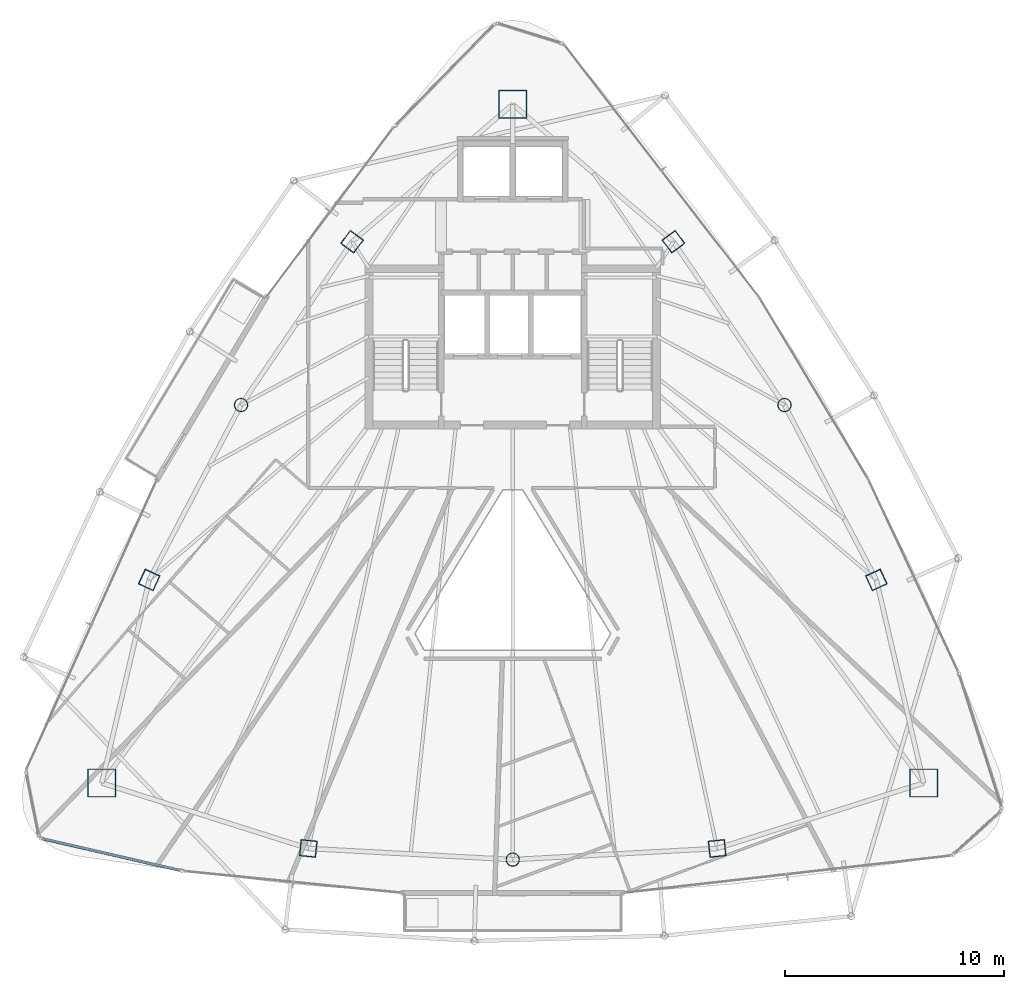
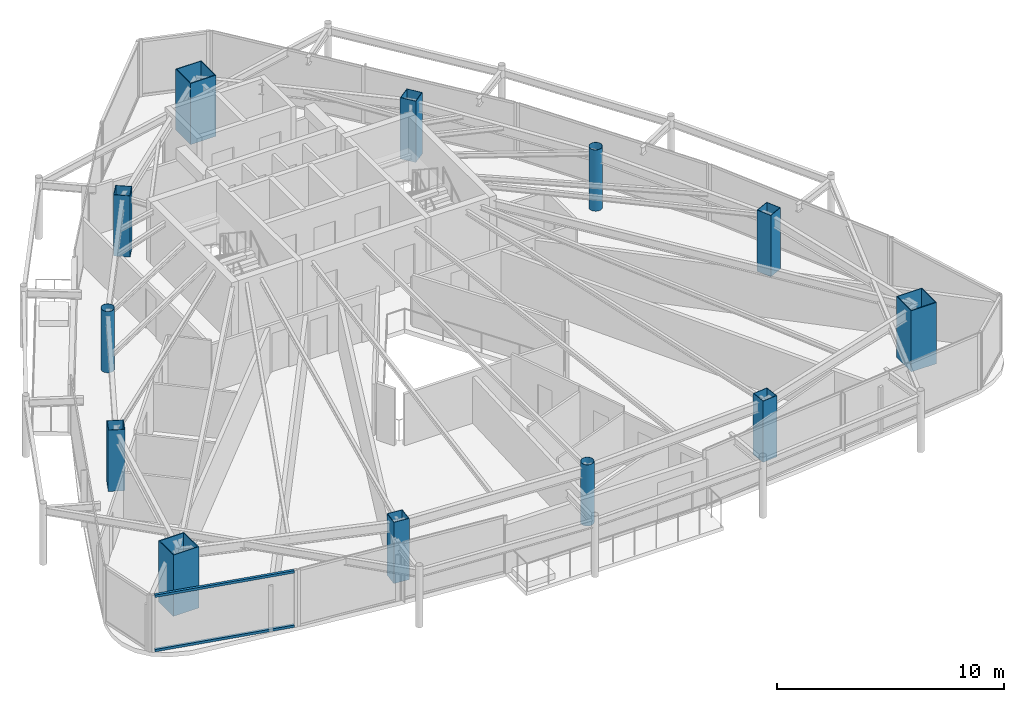
# One storey, part 1 of 29: 12 columns, 2 members, 1 element without a shape of its own.
"""IFC4 building model written with IfcOpenShell, lengths in metres."""

import ifcopenshell
import ifcopenshell.guid

model = None  # the IFC model being written
_history = None  # IfcOwnerHistory: only IFC2X3 demands one
_inside = {}  # id of a spatial element -> (the spatial element, [elements in it])
_under = {}  # id of a project, library or spatial element -> (it, [spatial elements below it])
_declared = {}  # id of a project -> (the project, [libraries it declares])
_typed = {}  # id of a type object -> (the type object, [elements of that type])
_made_of = {}  # id of a material, layer set ... -> (it, [elements and type objects made of it])


def new_model(schema):
    """Start an empty IFC model of exactly this schema.

    Asked for "IFC4X3", IfcOpenShell would pick the latest addendum, in which some entities
    have other attributes; the version numbers below select the first issue.
    IFC2X3 requires an IfcOwnerHistory on every rooted entity: one is made here for all.
    """
    global model, _history
    if schema == "IFC4X3":
        model = ifcopenshell.file(schema_version=(4, 3, 0, 0))
    else:
        model = ifcopenshell.file(schema=schema)
    _inside.clear()
    _under.clear()
    _declared.clear()
    _typed.clear()
    _made_of.clear()
    _history = None
    if model.schema == "IFC2X3":
        org = make("IfcOrganization", Name="unknown")
        user = make(
            "IfcPersonAndOrganization",
            ThePerson=make("IfcPerson", FamilyName="unknown"),
            TheOrganization=org,
        )
        app = make(
            "IfcApplication",
            ApplicationDeveloper=org,
            Version="unknown",
            ApplicationFullName="unknown",
            ApplicationIdentifier="unknown",
        )
        _history = make(
            "IfcOwnerHistory",
            OwningUser=user,
            OwningApplication=app,
            ChangeAction="ADDED",
            CreationDate=0,
        )
    return model


def make(cls, **values):
    """One entity of the class cls with the attributes given. An attribute that is None is left unset."""
    return model.create_entity(
        cls, **{name: value for name, value in values.items() if value is not None}
    )


def rooted(cls, **values):
    """An entity with a GlobalId (a new one), such as an element, a storey or a relation."""
    return make(cls, GlobalId=ifcopenshell.guid.new(), OwnerHistory=_history, **values)


def si_unit(unit_type, name, prefix=None):
    """IfcSIUnit, for example si_unit("LENGTHUNIT", "METRE", prefix="MILLI")."""
    return make("IfcSIUnit", UnitType=unit_type, Prefix=prefix, Name=name)


def assignment(units):
    """IfcUnitAssignment: the units of a project."""
    return None if units is None else make("IfcUnitAssignment", Units=units)


def point(xyz):
    """IfcCartesianPoint."""
    return None if xyz is None else make("IfcCartesianPoint", Coordinates=xyz)


def direction(xyz):
    """IfcDirection."""
    return None if xyz is None else make("IfcDirection", DirectionRatios=xyz)


def frame(location, z_axis=None, x_axis=None):
    """IfcAxis2Placement3D, a coordinate frame: its origin and axes. An axis left out is left unset."""
    return make(
        "IfcAxis2Placement3D",
        Location=point(location),
        Axis=direction(z_axis),
        RefDirection=direction(x_axis),
    )


def frame_2d(location, x_axis=None):
    """IfcAxis2Placement2D, a coordinate frame in the plane: its origin and x axis."""
    return make(
        "IfcAxis2Placement2D", Location=point(location), RefDirection=direction(x_axis)
    )


def origin():
    """The frame at (0, 0, 0) with its axes left unset."""
    return frame((0.0, 0.0, 0.0))


def origin_2d():
    """The frame at (0, 0) in the plane with its x axis left unset."""
    return frame_2d((0.0, 0.0))


def place(relative_to, where):
    """IfcLocalPlacement: puts the frame where relative to a parent placement (None: the world)."""
    return make(
        "IfcLocalPlacement", PlacementRelTo=relative_to, RelativePlacement=where
    )


def context(
    kind, dimensions, precision=None, world=None, true_north=None, identifier=None
):
    """IfcGeometricRepresentationContext, for example the 3D "Model" context."""
    return make(
        "IfcGeometricRepresentationContext",
        ContextIdentifier=identifier,
        ContextType=kind,
        CoordinateSpaceDimension=dimensions,
        Precision=precision,
        WorldCoordinateSystem=world,
        TrueNorth=true_north,
    )


def subcontext(parent, identifier, kind, view, scale=None):
    """IfcGeometricRepresentationSubContext, for example "Body" below "Model"."""
    return make(
        "IfcGeometricRepresentationSubContext",
        ContextIdentifier=identifier,
        ContextType=kind,
        ParentContext=parent,
        TargetScale=scale,
        TargetView=view,
    )


def project(units=None, contexts=None):
    """IfcProject with its units and contexts."""
    return rooted(
        "IfcProject",
        Name="project",
        RepresentationContexts=contexts,
        UnitsInContext=assignment(units),
    )


def spatial(cls, under=None, at=None, **own):
    """A site, building, storey or space (cls), placed at a placement, below another one or the project."""
    s = rooted(cls, ObjectPlacement=at, **own)
    if under is not None:
        _under.setdefault(under.id(), (under, []))[1].append(s)
    return s


def profile(cls, at=None, kind="AREA", **sizes):
    """A parametric profile (cls). Its sizes go by their IFC names, for example OverallWidth=200.0."""
    return make(cls, ProfileType=kind, Position=at, **sizes)


def hollow_rectangle(**sizes):
    """IfcRectangleHollowProfileDef."""
    return profile("IfcRectangleHollowProfileDef", **sizes)


def hollow_circle(**sizes):
    """IfcCircleHollowProfileDef."""
    return profile("IfcCircleHollowProfileDef", **sizes)


def extrude(swept, where, along, depth):
    """IfcExtrudedAreaSolid: the profile swept, set in the frame where, extruded along a direction by depth."""
    return make(
        "IfcExtrudedAreaSolid",
        SweptArea=swept,
        Position=where,
        ExtrudedDirection=direction(along),
        Depth=depth,
    )


def shape(context_of_items, identifier, shape_type, items):
    """IfcShapeRepresentation: the items that make up one representation, for example the "Body"."""
    return make(
        "IfcShapeRepresentation",
        ContextOfItems=context_of_items,
        RepresentationIdentifier=identifier,
        RepresentationType=shape_type,
        Items=items,
    )


def material(Name=None, Category=None):
    """IfcMaterial."""
    return make("IfcMaterial", Name=Name, Category=Category)


def layer(
    of_material, thickness, ventilated=None, Name=None, Category=None, Priority=None
):
    """IfcMaterialLayer: one layer of a wall or slab, of a material (None: an air gap)."""
    return make(
        "IfcMaterialLayer",
        Material=of_material,
        LayerThickness=thickness,
        IsVentilated=ventilated,
        Name=Name,
        Category=Category,
        Priority=Priority,
    )


def layer_set(layers, Name=None):
    """IfcMaterialLayerSet."""
    return make("IfcMaterialLayerSet", MaterialLayers=layers, LayerSetName=Name)


def material_profile(
    of_material, cross_section, Name=None, Category=None, Priority=None
):
    """IfcMaterialProfile: a cross section and its material."""
    return make(
        "IfcMaterialProfile",
        Name=Name,
        Material=of_material,
        Profile=cross_section,
        Priority=Priority,
        Category=Category,
    )


def profile_set(profiles, Name=None, composite=None):
    """IfcMaterialProfileSet."""
    return make(
        "IfcMaterialProfileSet",
        Name=Name,
        MaterialProfiles=profiles,
        CompositeProfile=composite,
    )


def made_of(thing, what):
    """Note that an element or type object is made of a material, layer set ...; save() writes the relation."""
    if what is not None:
        _made_of.setdefault(what.id(), (what, []))[1].append(thing)
    return thing


def type_object(cls, material=None, **own):
    """A type object (cls), such as IfcWallType, which elements share."""
    return made_of(rooted(cls, **own), material)


def element(
    cls,
    number,
    at=None,
    inside=None,
    cuts=None,
    type_object=None,
    material=None,
    context=None,
    identifier="Body",
    shape_type=None,
    held_by="IfcProductDefinitionShape",
    body=None,
    shapes=None,
    **own,
):
    """One element of the class cls, such as IfcWall. Its Tag is "e" and its number.

    at: its placement. inside: the storey or other place that contains it. cuts: it is an
    opening in that element (IfcRelVoidsElement). A single representation is given by context,
    identifier, shape_type and body (its items); several are given by shapes. held_by: the class
    of the entity that holds the representations. save() writes the other relations.
    """
    e = rooted(cls, Tag="e%d" % number, ObjectPlacement=at, **own)
    if body is not None:
        shapes = [shape(context, identifier, shape_type, body)]
    if shapes is not None:
        e.Representation = make(held_by, Representations=shapes)
    if inside is not None:
        _inside.setdefault(inside.id(), (inside, []))[1].append(e)
    if cuts is not None:
        rooted(
            "IfcRelVoidsElement", RelatingBuildingElement=cuts, RelatedOpeningElement=e
        )
    if type_object is not None:
        _typed.setdefault(type_object.id(), (type_object, []))[1].append(e)
    return made_of(e, material)


def aggregate(whole, parts):
    """IfcRelAggregates: a whole, such as a stair, and the parts it consists of."""
    return rooted("IfcRelAggregates", RelatingObject=whole, RelatedObjects=parts)


def save(model, path):
    """Write the relations noted so far, then the file.

    IfcRelAggregates (storeys below a building ...), IfcRelContainedInSpatialStructure (elements
    in a storey), IfcRelDefinesByType, IfcRelAssociatesMaterial and IfcRelDeclares: one each for
    every whole, place, type object, material and project.
    """
    for whole, parts in _under.values():
        aggregate(whole, parts)
    for where, things in _inside.values():
        rooted(
            "IfcRelContainedInSpatialStructure",
            RelatedElements=things,
            RelatingStructure=where,
        )
    for kind, things in _typed.values():
        rooted("IfcRelDefinesByType", RelatedObjects=things, RelatingType=kind)
    for what, things in _made_of.values():
        rooted("IfcRelAssociatesMaterial", RelatedObjects=things, RelatingMaterial=what)
    for by, libraries in _declared.values():
        rooted("IfcRelDeclares", RelatingContext=by, RelatedDefinitions=libraries)
    model.write(path)


model = new_model("IFC4")

# Units and contexts
model_context = context("Model", 3, precision=1e-05, world=origin(), true_north=direction((0.0, 1.0)))
body_context = subcontext(model_context, "Body", "Model", "MODEL_VIEW")
ifc_project = project(units=[si_unit("LENGTHUNIT", "METRE"), si_unit("AREAUNIT", "SQUARE_METRE"), si_unit("VOLUMEUNIT", "CUBIC_METRE"), si_unit("PLANEANGLEUNIT", "RADIAN"), si_unit("MASSUNIT", "GRAM", prefix="KILO")], contexts=[model_context])

# Site, building, storey
site_placement = place(None, origin())
site = spatial("IfcSite", under=ifc_project, at=site_placement, CompositionType="ELEMENT")
building_placement = place(site_placement, origin())
building = spatial("IfcBuilding", under=site, at=building_placement, Name="Orvanel Arch Residences", CompositionType="ELEMENT")
storey_placement = place(building_placement, frame((0.0, 0.0, 243.64990234375)))
storey = spatial("IfcBuildingStorey", under=building, at=storey_placement, Name="L69", CompositionType="ELEMENT", Elevation=243.64990234375)

# Columns
ifc_material_1 = material(Name="Structural steel AS/NZS 1163 C350L0 (Grade 350)", Category="steel")
ifc_material_profile_1 = material_profile(ifc_material_1, hollow_circle(Radius=0.304931640625, WallThickness=0.01611328125, at=origin_2d()), Name="CHS610x16")
ifc_profile_set_1 = profile_set([ifc_material_profile_1], Name="Structural steel AS/NZS 1163 C350L0 (Grade 350)")
column_type_1 = type_object("IfcColumnType", Name="CC-610", PredefinedType="COLUMN", material=ifc_profile_set_1)
for number, where, z_axis, x_axis, name in (
    (1, (20.569091796875, 27.64111328125, 0.0), (0.0, 0.0, 1.0), (1.0, 0.0, 0.0), "L69 High-Rise Tube Column 02"),
    (2, (33.0, 6.843994140625, 0.0), (0.0, 0.0, 1.0), (1.0, 0.0, 0.0), "L69 High-Rise Tube Column 05"),
    (3, (45.430908203125, 27.64111328125, 0.0), (0.0, 0.0, 1.0), (1.0, 0.0, 0.0), "L69 High-Rise Tube Column 08"),
):
    element("IfcColumn", number, at=place(storey_placement, frame(where, z_axis=z_axis, x_axis=x_axis)), inside=storey, type_object=column_type_1, Name=name, PredefinedType="COLUMN", context=body_context, shape_type="SweptSolid", body=[
        extrude(hollow_circle(Radius=0.304931640625, WallThickness=0.01611328125, at=origin_2d()), origin(), (0.0, 0.0, 1.0), 3.300048828125),
    ])
ifc_material_2 = material(Name="Structural steel AS/NZS 3678 Grade 450", Category="steel")
ifc_material_profile_2 = material_profile(ifc_material_2, hollow_rectangle(XDim=1.300048828125, YDim=1.300048828125, WallThickness=0.0400390625, at=origin_2d()), Name="BOX1300x1300x40")
ifc_profile_set_2 = profile_set([ifc_material_profile_2], Name="Structural steel AS/NZS 3678 Grade 450")
column_type_2 = type_object("IfcColumnType", Name="MC-1300", PredefinedType="COLUMN", material=ifc_profile_set_2)
for number, where, z_axis, x_axis, name in (
    (4, (33.0, 41.39794921875, 0.0), (0.0, 0.0, 1.0), (1.0, 0.0, 0.0), "L69 Corner Mega-Column 1"),
    (5, (14.198974609375, 10.35107421875, 0.0), (0.0, 0.0, 1.0), (1.0, 0.0, 0.0), "L69 Corner Mega-Column 2"),
    (6, (51.801025390625, 10.35107421875, 0.0), (0.0, 0.0, 1.0), (1.0, 0.0, 0.0), "L69 Corner Mega-Column 3"),
):
    element("IfcColumn", number, at=place(storey_placement, frame(where, z_axis=z_axis, x_axis=x_axis)), inside=storey, type_object=column_type_2, Name=name, PredefinedType="COLUMN", context=body_context, shape_type="SweptSolid", body=[
        extrude(hollow_rectangle(XDim=1.300048828125, YDim=1.300048828125, WallThickness=0.0400390625, at=origin_2d()), origin(), (0.0, 0.0, 1.0), 3.300048828125),
    ])
ifc_material_3 = material(Name="Structural steel AS/NZS 3678 Grade 350", Category="steel")
ifc_material_profile_3 = material_profile(ifc_material_3, hollow_rectangle(XDim=0.75, YDim=0.75, WallThickness=0.02490234375, at=origin_2d()), Name="BOX750x750x25")
ifc_profile_set_3 = profile_set([ifc_material_profile_3], Name="Structural steel AS/NZS 3678 Grade 350")
column_type_3 = type_object("IfcColumnType", Name="TC-750", PredefinedType="COLUMN", material=ifc_profile_set_3)
for number, where, z_axis, x_axis, name in (
    (7, (25.64794921875, 35.113037109375, 0.0), (0.0, 0.0, 1.0), (0.600420225326, 0.799684658487, 0.0), "L69 High-Rise Tube Column 01"),
    (8, (16.366943359375, 19.64208984375, 0.0), (0.0, 0.0, 1.0), (0.422618261741, 0.906307787037, 0.0), "L69 High-Rise Tube Column 03"),
    (9, (23.64892578125, 7.35498046875, 0.0), (0.0, 0.0, 1.0), (-0.994880708829, 0.101056297183, 0.0), "L69 High-Rise Tube Column 04"),
    (10, (42.35107421875, 7.35498046875, 0.0), (0.0, 0.0, 1.0), (0.994880708829, 0.101056297183, 0.0), "L69 High-Rise Tube Column 06"),
    (11, (49.633056640625, 19.64208984375, 0.0), (0.0, 0.0, 1.0), (-0.422618261741, 0.906307787037, 0.0), "L69 High-Rise Tube Column 07"),
    (12, (40.35205078125, 35.113037109375, 0.0), (0.0, 0.0, 1.0), (-0.600420225326, 0.799684658487, 0.0), "L69 High-Rise Tube Column 09"),
):
    element("IfcColumn", number, at=place(storey_placement, frame(where, z_axis=z_axis, x_axis=x_axis)), inside=storey, type_object=column_type_3, Name=name, PredefinedType="COLUMN", context=body_context, shape_type="SweptSolid", body=[
        extrude(hollow_rectangle(XDim=0.75, YDim=0.75, WallThickness=0.02490234375, at=origin_2d()), origin(), (0.0, 0.0, 1.0), 3.300048828125),
    ])

# Curtain wall, members
ifc_material_4 = material(Name="Bronze-anodised aluminium AA6063-T6", Category="aluminium")
ifc_layer = layer(ifc_material_4, 0.18994140625)
ifc_layer_set = layer_set([ifc_layer], Name="Bronze-anodised aluminium AA6063-T6")
curtain_wall_type = type_object("IfcCurtainWallType", Name="CW5-CRN-SYS", PredefinedType="NOTDEFINED", material=ifc_layer_set)
curtain_wall_placement = place(storey_placement, origin())
curtain_wall = element("IfcCurtainWall", 13, at=curtain_wall_placement, inside=storey, type_object=curtain_wall_type, Name="L69 CW5-CRN-SYS Unitised Curtain Wall", PredefinedType="NOTDEFINED")
ifc_material_profile_4 = material_profile(ifc_material_4, hollow_rectangle(XDim=0.1298828125, YDim=0.1298828125, WallThickness=0.00439453125, at=origin_2d()), Name="ALU130x130x4.5")
ifc_profile_set_4 = profile_set([ifc_material_profile_4], Name="Bronze-anodised aluminium AA6063-T6")
member_type = type_object("IfcMemberType", Name="TRN-130x130", PredefinedType="USERDEFINED", material=ifc_profile_set_4)
member_1_placement = place(storey_placement, frame((11.4951171875, 7.79931640625, 0.065185546875), z_axis=(0.974558417971, -0.224133643085, 0.0), x_axis=(0.224133643085, 0.974558417971, 0.0)))
member_1 = element("IfcMember", 14, at=member_1_placement, type_object=member_type, Name="CW-S5 transom 1.1", ObjectType="TRANSOM", PredefinedType="USERDEFINED", context=body_context, shape_type="SweptSolid", body=[
    extrude(hollow_rectangle(XDim=0.1298828125, YDim=0.1298828125, WallThickness=0.00439453125, at=origin_2d()), origin(), (0.0, 0.0, 1.0), 6.4365234375),
])
member_2_placement = place(storey_placement, frame((11.4951171875, 7.79931640625, 2.9951171875), z_axis=(0.974558417971, -0.224133643085, 0.0), x_axis=(0.224133643085, 0.974558417971, 0.0)))
member_2 = element("IfcMember", 15, at=member_2_placement, type_object=member_type, Name="CW-S5 transom 1.2", ObjectType="TRANSOM", PredefinedType="USERDEFINED", context=body_context, shape_type="SweptSolid", body=[
    extrude(hollow_rectangle(XDim=0.1298828125, YDim=0.1298828125, WallThickness=0.00439453125, at=origin_2d()), origin(), (0.0, 0.0, 1.0), 6.4365234375),
])
aggregate(curtain_wall, [member_1, member_2])

save(model, "model.ifc")
